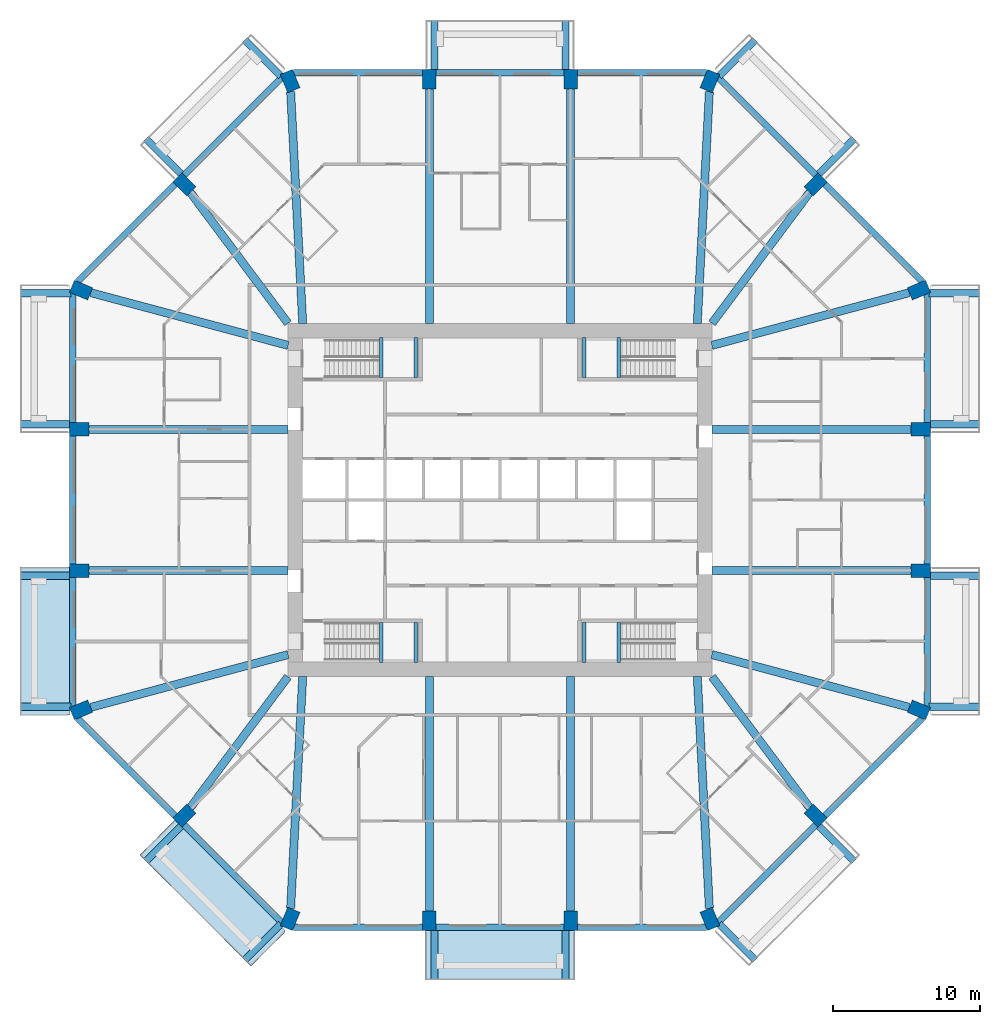
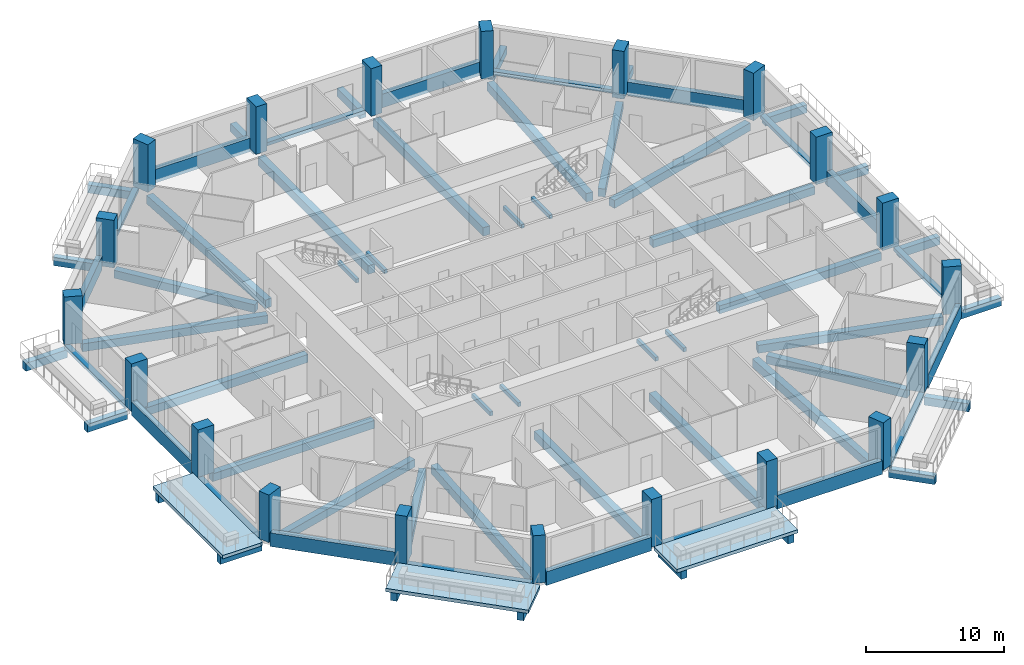
# One storey, part 1 of 13: 68 beams, 20 columns, 3 slabs.
"""IFC4 building model written with IfcOpenShell, lengths in metres."""

from ifc_helpers import new_model, si_unit, direction, frame, origin, origin_2d, place, context, subcontext, project, spatial, polyline, rectangle, outline, extrude, material, layer, layer_set, material_profile, profile_set, type_object, element, save


model = new_model("IFC4")

# Units and contexts
model_context = context("Model", 3, precision=1e-05, world=origin(), true_north=direction((0.0, 1.0)))
body_context = subcontext(model_context, "Body", "Model", "MODEL_VIEW")
ifc_project = project(units=[si_unit("LENGTHUNIT", "METRE"), si_unit("AREAUNIT", "SQUARE_METRE"), si_unit("VOLUMEUNIT", "CUBIC_METRE"), si_unit("PLANEANGLEUNIT", "RADIAN"), si_unit("MASSUNIT", "GRAM", prefix="KILO")], contexts=[model_context])

# Site, building, storey
site_placement = place(None, origin())
site = spatial("IfcSite", under=ifc_project, at=site_placement, CompositionType="ELEMENT")
building_placement = place(site_placement, origin())
building = spatial("IfcBuilding", under=site, at=building_placement, Name="Msitu Wima Residences", CompositionType="ELEMENT")
storey_placement = place(building_placement, frame((0.0, 0.0, 96.89990234375)))
storey = spatial("IfcBuildingStorey", under=building, at=storey_placement, Name="L22", CompositionType="ELEMENT", Elevation=96.89990234375)

# Columns
ifc_material_1 = material(Name="Concrete C80/95", Category="concrete")
ifc_material_profile_1 = material_profile(ifc_material_1, rectangle(XDim=0.89990234375, YDim=1.35009765625, at=origin_2d()), Name="RC 900x1350")
ifc_profile_set_1 = profile_set([ifc_material_profile_1], Name="Concrete C80/95")
column_type = type_object("IfcColumnType", Name="Column RC 900x1350 Concrete C80/95", PredefinedType="COLUMN", material=ifc_profile_set_1)
for number, where, z_axis, x_axis, name in (
    (1, (28.4541015625, -14.2568359375, 0.0), (0.0, 0.0, 1.0), (0.382683496864, 0.923879505795, 0.0), "Column L22 C-E0"),
    (2, (28.574951171875, -4.800048828125, 0.0), (0.0, 0.0, 1.0), (0.0, 1.0, 0.0), "Column L22 C-E1"),
    (3, (28.574951171875, 4.800048828125, 0.0), (0.0, 0.0, 1.0), (0.0, 1.0, 0.0), "Column L22 C-E2"),
    (4, (28.4541015625, 14.2568359375, 0.0), (0.0, 0.0, 1.0), (-0.382683496864, 0.923879505795, 0.0), "Column L22 C-NE0"),
    (5, (21.44091796875, 21.44091796875, 0.0), (0.0, 0.0, 1.0), (-0.707106781187, 0.707106781187, 0.0), "Column L22 C-NE1"),
    (6, (14.2568359375, 28.4541015625, 0.0), (0.0, 0.0, 1.0), (-0.923879505795, 0.382683496864, 0.0), "Column L22 C-N0"),
    (7, (4.800048828125, 28.574951171875, 0.0), (0.0, 0.0, 1.0), (-1.0, 0.0, 0.0), "Column L22 C-N1"),
    (8, (-4.800048828125, 28.574951171875, 0.0), (0.0, 0.0, 1.0), (-1.0, 0.0, 0.0), "Column L22 C-N2"),
    (9, (-14.2568359375, 28.4541015625, 0.0), (0.0, 0.0, 1.0), (-0.923879505795, -0.382683496864, 0.0), "Column L22 C-NW0"),
    (10, (-21.44091796875, 21.44091796875, 0.0), (0.0, 0.0, 1.0), (-0.707106781187, -0.707106781187, 0.0), "Column L22 C-NW1"),
    (11, (-28.4541015625, 14.2568359375, 0.0), (0.0, 0.0, 1.0), (-0.382683496864, -0.923879505795, 0.0), "Column L22 C-W0"),
    (12, (-28.574951171875, 4.800048828125, 0.0), (0.0, 0.0, 1.0), (0.0, -1.0, 0.0), "Column L22 C-W1"),
    (13, (-28.574951171875, -4.800048828125, 0.0), (0.0, 0.0, 1.0), (0.0, -1.0, 0.0), "Column L22 C-W2"),
    (14, (-28.4541015625, -14.2568359375, 0.0), (0.0, 0.0, 1.0), (0.382683496864, -0.923879505795, 0.0), "Column L22 C-SW0"),
    (15, (-21.44091796875, -21.44091796875, 0.0), (0.0, 0.0, 1.0), (0.707106781187, -0.707106781187, 0.0), "Column L22 C-SW1"),
    (16, (-14.2568359375, -28.4541015625, 0.0), (0.0, 0.0, 1.0), (0.923879505795, -0.382683496864, 0.0), "Column L22 C-S0"),
    (17, (-4.800048828125, -28.574951171875, 0.0), (0.0, 0.0, 1.0), (1.0, 0.0, 0.0), "Column L22 C-S1"),
    (18, (4.800048828125, -28.574951171875, 0.0), (0.0, 0.0, 1.0), (1.0, 0.0, 0.0), "Column L22 C-S2"),
    (19, (14.2568359375, -28.4541015625, 0.0), (0.0, 0.0, 1.0), (0.923879505795, 0.382683496864, 0.0), "Column L22 C-SE0"),
    (20, (21.44091796875, -21.44091796875, 0.0), (0.0, 0.0, 1.0), (0.707106781187, 0.707106781187, 0.0), "Column L22 C-SE1"),
):
    element("IfcColumn", number, at=place(storey_placement, frame(where, z_axis=z_axis, x_axis=x_axis)), inside=storey, type_object=column_type, Name=name, PredefinedType="COLUMN", context=body_context, shape_type="SweptSolid", body=[
        extrude(rectangle(XDim=0.89990234375, YDim=1.35009765625, at=origin_2d()), origin(), (0.0, 0.0, 1.0), 4.2001953125),
    ])

# Beams
ifc_material_2 = material(Name="Concrete C50/60", Category="concrete")
ifc_material_profile_2 = material_profile(ifc_material_2, rectangle(XDim=0.550048828125, YDim=0.699951171875, at=origin_2d()), Name="RC 550x700")
ifc_profile_set_2 = profile_set([ifc_material_profile_2], Name="Concrete C50/60")
beam_type_1 = type_object("IfcBeamType", Name="Beam RC 550x700 Concrete C50/60", PredefinedType="BEAM", material=ifc_profile_set_2)
beam_1_placement = place(storey_placement, frame((27.79638671875, -14.080810546875, -0.599853515625), z_axis=(-0.966081778408, 0.258236320891, 0.0), x_axis=(-0.258236320891, -0.966081778408, 0.0)))
element("IfcBeam", 21, at=beam_1_placement, inside=storey, type_object=beam_type_1, Name="Beam L22 C-E0", PredefinedType="BEAM", context=body_context, shape_type="SweptSolid", body=[
    extrude(rectangle(XDim=0.550048828125, YDim=0.699951171875, at=origin_2d()), origin(), (0.0, 0.0, 1.0), 13.878662109375),
])
for number, where, z_axis, x_axis, name in (
    (22, (27.89990234375, -4.800048828125, -0.599853515625), (-1.0, 0.0, 0.0), (0.0, -1.0, 0.0), "Beam L22 C-E1"),
    (23, (27.89990234375, 4.800048828125, -0.599853515625), (-1.0, 0.0, 0.0), (0.0, -1.0, 0.0), "Beam L22 C-E2"),
):
    element("IfcBeam", number, at=place(storey_placement, frame(where, z_axis=z_axis, x_axis=x_axis)), inside=storey, type_object=beam_type_1, Name=name, PredefinedType="BEAM", context=body_context, shape_type="SweptSolid", body=[
        extrude(rectangle(XDim=0.550048828125, YDim=0.699951171875, at=origin_2d()), origin(), (0.0, 0.0, 1.0), 13.5),
    ])
beam_2_placement = place(storey_placement, frame((27.79638671875, 14.080810546875, -0.599853515625), z_axis=(-0.966081778408, -0.258236320891, 0.0), x_axis=(0.258236320891, -0.966081778408, 0.0)))
element("IfcBeam", 24, at=beam_2_placement, inside=storey, type_object=beam_type_1, Name="Beam L22 C-NE0", PredefinedType="BEAM", context=body_context, shape_type="SweptSolid", body=[
    extrude(rectangle(XDim=0.550048828125, YDim=0.699951171875, at=origin_2d()), origin(), (0.0, 0.0, 1.0), 13.878662109375),
])
for number, where, z_axis, x_axis, name in (
    (25, (21.033203125, 20.89404296875, -0.599853515625), (-0.597850242031, -0.801607814398, 0.0), (0.801607814398, -0.597850242031, 0.0), "Beam L22 C-NE1"),
    (26, (-21.033203125, 20.89404296875, -0.599853515625), (0.597850242031, -0.801607814398, 0.0), (0.801607814398, 0.597850242031, 0.0), "Beam L22 C-NW1"),
):
    element("IfcBeam", number, at=place(storey_placement, frame(where, z_axis=z_axis, x_axis=x_axis)), inside=storey, type_object=beam_type_1, Name=name, PredefinedType="BEAM", context=body_context, shape_type="SweptSolid", body=[
        extrude(rectangle(XDim=0.550048828125, YDim=0.699951171875, at=origin_2d()), origin(), (0.0, 0.0, 1.0), 11.09521484375),
    ])
beam_3_placement = place(storey_placement, frame((-27.79638671875, 14.080810546875, -0.599853515625), z_axis=(0.966081778408, -0.258236320891, 0.0), x_axis=(0.258236320891, 0.966081778408, 0.0)))
element("IfcBeam", 27, at=beam_3_placement, inside=storey, type_object=beam_type_1, Name="Beam L22 C-W0", PredefinedType="BEAM", context=body_context, shape_type="SweptSolid", body=[
    extrude(rectangle(XDim=0.550048828125, YDim=0.699951171875, at=origin_2d()), origin(), (0.0, 0.0, 1.0), 13.878662109375),
])
for number, where, z_axis, x_axis, name in (
    (28, (-27.89990234375, 4.800048828125, -0.599853515625), (1.0, 0.0, 0.0), (0.0, 1.0, 0.0), "Beam L22 C-W1"),
    (29, (-27.89990234375, -4.800048828125, -0.599853515625), (1.0, 0.0, 0.0), (0.0, 1.0, 0.0), "Beam L22 C-W2"),
):
    element("IfcBeam", number, at=place(storey_placement, frame(where, z_axis=z_axis, x_axis=x_axis)), inside=storey, type_object=beam_type_1, Name=name, PredefinedType="BEAM", context=body_context, shape_type="SweptSolid", body=[
        extrude(rectangle(XDim=0.550048828125, YDim=0.699951171875, at=origin_2d()), origin(), (0.0, 0.0, 1.0), 13.5),
    ])
beam_4_placement = place(storey_placement, frame((-27.79638671875, -14.080810546875, -0.599853515625), z_axis=(0.966081778408, 0.258236320891, 0.0), x_axis=(-0.258236320891, 0.966081778408, 0.0)))
element("IfcBeam", 30, at=beam_4_placement, inside=storey, type_object=beam_type_1, Name="Beam L22 C-SW0", PredefinedType="BEAM", context=body_context, shape_type="SweptSolid", body=[
    extrude(rectangle(XDim=0.550048828125, YDim=0.699951171875, at=origin_2d()), origin(), (0.0, 0.0, 1.0), 13.878662109375),
])
for number, where, z_axis, x_axis, name in (
    (31, (-21.033203125, -20.89404296875, -0.599853515625), (0.597850242031, 0.801607814398, 0.0), (-0.801607814398, 0.597850242031, 0.0), "Beam L22 C-SW1"),
    (32, (21.033203125, -20.89404296875, -0.599853515625), (-0.597850242031, 0.801607814398, 0.0), (-0.801607814398, -0.597850242031, 0.0), "Beam L22 C-SE1"),
):
    element("IfcBeam", number, at=place(storey_placement, frame(where, z_axis=z_axis, x_axis=x_axis)), inside=storey, type_object=beam_type_1, Name=name, PredefinedType="BEAM", context=body_context, shape_type="SweptSolid", body=[
        extrude(rectangle(XDim=0.550048828125, YDim=0.699951171875, at=origin_2d()), origin(), (0.0, 0.0, 1.0), 11.09521484375),
    ])
ifc_material_profile_3 = material_profile(ifc_material_2, rectangle(XDim=0.550048828125, YDim=0.75, at=origin_2d()), Name="RC 550x750")
ifc_profile_set_3 = profile_set([ifc_material_profile_3], Name="Concrete C50/60")
beam_type_2 = type_object("IfcBeamType", Name="Beam RC 550x750 Concrete C50/60", PredefinedType="BEAM", material=ifc_profile_set_3)
beam_5_placement = place(storey_placement, frame((14.219482421875, 27.739013671875, -0.625), z_axis=(-0.05199418091, -0.998647387796, 0.0), x_axis=(0.998647387796, -0.05199418091, 0.0)))
element("IfcBeam", 33, at=beam_5_placement, inside=storey, type_object=beam_type_2, Name="Beam L22 C-N0", PredefinedType="BEAM", context=body_context, shape_type="SweptSolid", body=[
    extrude(rectangle(XDim=0.550048828125, YDim=0.75, at=origin_2d()), origin(), (0.0, 0.0, 1.0), 15.772216796875),
])
for number, where, z_axis, x_axis, name in (
    (34, (4.800048828125, 27.89990234375, -0.625), (0.0, -1.0, 0.0), (1.0, 0.0, 0.0), "Beam L22 C-N1"),
    (35, (-4.800048828125, 27.89990234375, -0.625), (0.0, -1.0, 0.0), (1.0, 0.0, 0.0), "Beam L22 C-N2"),
):
    element("IfcBeam", number, at=place(storey_placement, frame(where, z_axis=z_axis, x_axis=x_axis)), inside=storey, type_object=beam_type_2, Name=name, PredefinedType="BEAM", context=body_context, shape_type="SweptSolid", body=[
        extrude(rectangle(XDim=0.550048828125, YDim=0.75, at=origin_2d()), origin(), (0.0, 0.0, 1.0), 15.89990234375),
    ])
for number, where, z_axis, x_axis, name in (
    (36, (-14.219482421875, 27.739013671875, -0.625), (0.05199418091, -0.998647387796, 0.0), (0.998647387796, 0.05199418091, 0.0), "Beam L22 C-NW0"),
    (37, (-14.219482421875, -27.739013671875, -0.625), (0.05199418091, 0.998647387796, 0.0), (-0.998647387796, 0.05199418091, 0.0), "Beam L22 C-S0"),
):
    element("IfcBeam", number, at=place(storey_placement, frame(where, z_axis=z_axis, x_axis=x_axis)), inside=storey, type_object=beam_type_2, Name=name, PredefinedType="BEAM", context=body_context, shape_type="SweptSolid", body=[
        extrude(rectangle(XDim=0.550048828125, YDim=0.75, at=origin_2d()), origin(), (0.0, 0.0, 1.0), 15.772216796875),
    ])
for number, where, z_axis, x_axis, name in (
    (38, (-4.800048828125, -27.89990234375, -0.625), (0.0, 1.0, 0.0), (-1.0, 0.0, 0.0), "Beam L22 C-S1"),
    (39, (4.800048828125, -27.89990234375, -0.625), (0.0, 1.0, 0.0), (-1.0, 0.0, 0.0), "Beam L22 C-S2"),
):
    element("IfcBeam", number, at=place(storey_placement, frame(where, z_axis=z_axis, x_axis=x_axis)), inside=storey, type_object=beam_type_2, Name=name, PredefinedType="BEAM", context=body_context, shape_type="SweptSolid", body=[
        extrude(rectangle(XDim=0.550048828125, YDim=0.75, at=origin_2d()), origin(), (0.0, 0.0, 1.0), 15.89990234375),
    ])
beam_6_placement = place(storey_placement, frame((14.219482421875, -27.739013671875, -0.625), z_axis=(-0.05199418091, 0.998647387796, 0.0), x_axis=(-0.998647387796, -0.05199418091, 0.0)))
element("IfcBeam", 40, at=beam_6_placement, inside=storey, type_object=beam_type_2, Name="Beam L22 C-SE0", PredefinedType="BEAM", context=body_context, shape_type="SweptSolid", body=[
    extrude(rectangle(XDim=0.550048828125, YDim=0.75, at=origin_2d()), origin(), (0.0, 0.0, 1.0), 15.772216796875),
])
ifc_material_profile_4 = material_profile(ifc_material_2, rectangle(XDim=0.5, YDim=0.699951171875, at=origin_2d()), Name="RC 500x700")
ifc_profile_set_4 = profile_set([ifc_material_profile_4], Name="Concrete C50/60")
beam_type_3 = type_object("IfcBeamType", Name="Cantilever beam RC 500x700 Concrete C50/60", PredefinedType="BEAM", material=ifc_profile_set_4)
beam_7_placement = place(storey_placement, frame((29.130859375, -14.050048828125, -0.64990234375), z_axis=(1.0, 0.0, 0.0), x_axis=(0.0, 1.0, 0.0)))
element("IfcBeam", 41, at=beam_7_placement, inside=storey, type_object=beam_type_3, Name="Cantilever beam L22 BA-E0 A", PredefinedType="BEAM", context=body_context, shape_type="SweptSolid", body=[
    extrude(rectangle(XDim=0.5, YDim=0.699951171875, at=origin_2d()), origin(), (0.0, 0.0, 1.0), 3.46923828125),
])
for number, where, z_axis, x_axis, name in (
    (42, (29.25, -5.14990234375, -0.64990234375), (1.0, 0.0, 0.0), (0.0, 1.0, 0.0), "Cantilever beam L22 BA-E0 B"),
    (43, (29.25, 5.14990234375, -0.64990234375), (1.0, 0.0, 0.0), (0.0, 1.0, 0.0), "Cantilever beam L22 BA-E2 A"),
):
    element("IfcBeam", number, at=place(storey_placement, frame(where, z_axis=z_axis, x_axis=x_axis)), inside=storey, type_object=beam_type_3, Name=name, PredefinedType="BEAM", context=body_context, shape_type="SweptSolid", body=[
        extrude(rectangle(XDim=0.5, YDim=0.699951171875, at=origin_2d()), origin(), (0.0, 0.0, 1.0), 3.35009765625),
    ])
beam_8_placement = place(storey_placement, frame((29.130859375, 14.050048828125, -0.64990234375), z_axis=(1.0, 0.0, 0.0), x_axis=(0.0, 1.0, 0.0)))
element("IfcBeam", 44, at=beam_8_placement, inside=storey, type_object=beam_type_3, Name="Cantilever beam L22 BA-E2 B", PredefinedType="BEAM", context=body_context, shape_type="SweptSolid", body=[
    extrude(rectangle(XDim=0.5, YDim=0.699951171875, at=origin_2d()), origin(), (0.0, 0.0, 1.0), 3.46923828125),
])
beam_9_placement = place(storey_placement, frame((21.670654296875, 22.165771484375, -0.64990234375), z_axis=(0.707143219659, 0.707070340836, 0.0), x_axis=(-0.707070340836, 0.707143219659, 0.0)))
element("IfcBeam", 45, at=beam_9_placement, inside=storey, type_object=beam_type_3, Name="Cantilever beam L22 BA-NE1 A", PredefinedType="BEAM", context=body_context, shape_type="SweptSolid", body=[
    extrude(rectangle(XDim=0.5, YDim=0.699951171875, at=origin_2d()), origin(), (0.0, 0.0, 1.0), 3.349853515625),
])
beam_10_placement = place(storey_placement, frame((14.881591796875, 28.78662109375, -0.64990234375), z_axis=(0.707106781187, 0.707106781187, 0.0), x_axis=(-0.707106781187, 0.707106781187, 0.0)))
element("IfcBeam", 46, at=beam_10_placement, inside=storey, type_object=beam_type_3, Name="Cantilever beam L22 BA-NE1 B", PredefinedType="BEAM", context=body_context, shape_type="SweptSolid", body=[
    extrude(rectangle(XDim=0.5, YDim=0.699951171875, at=origin_2d()), origin(), (0.0, 0.0, 1.0), 3.468994140625),
])
for number, where, z_axis, x_axis, name in (
    (47, (4.449951171875, 29.25, -0.64990234375), (0.0, 1.0, 0.0), (-1.0, 0.0, 0.0), "Cantilever beam L22 BA-N1 A"),
    (48, (-4.449951171875, 29.25, -0.64990234375), (0.0, 1.0, 0.0), (-1.0, 0.0, 0.0), "Cantilever beam L22 BA-N1 B"),
):
    element("IfcBeam", number, at=place(storey_placement, frame(where, z_axis=z_axis, x_axis=x_axis)), inside=storey, type_object=beam_type_3, Name=name, PredefinedType="BEAM", context=body_context, shape_type="SweptSolid", body=[
        extrude(rectangle(XDim=0.5, YDim=0.699951171875, at=origin_2d()), origin(), (0.0, 0.0, 1.0), 3.35009765625),
    ])
beam_11_placement = place(storey_placement, frame((-14.881591796875, 28.78662109375, -0.64990234375), z_axis=(-0.707106781187, 0.707106781187, 0.0), x_axis=(-0.707106781187, -0.707106781187, 0.0)))
element("IfcBeam", 49, at=beam_11_placement, inside=storey, type_object=beam_type_3, Name="Cantilever beam L22 BA-NW0 A", PredefinedType="BEAM", context=body_context, shape_type="SweptSolid", body=[
    extrude(rectangle(XDim=0.5, YDim=0.699951171875, at=origin_2d()), origin(), (0.0, 0.0, 1.0), 3.468994140625),
])
beam_12_placement = place(storey_placement, frame((-21.670654296875, 22.165771484375, -0.64990234375), z_axis=(-0.707143219659, 0.707070340836, 0.0), x_axis=(-0.707070340836, -0.707143219659, 0.0)))
element("IfcBeam", 50, at=beam_12_placement, inside=storey, type_object=beam_type_3, Name="Cantilever beam L22 BA-NW0 B", PredefinedType="BEAM", context=body_context, shape_type="SweptSolid", body=[
    extrude(rectangle(XDim=0.5, YDim=0.699951171875, at=origin_2d()), origin(), (0.0, 0.0, 1.0), 3.349853515625),
])
beam_13_placement = place(storey_placement, frame((-29.130859375, 14.050048828125, -0.64990234375), z_axis=(-1.0, 0.0, 0.0), x_axis=(0.0, -1.0, 0.0)))
element("IfcBeam", 51, at=beam_13_placement, inside=storey, type_object=beam_type_3, Name="Cantilever beam L22 BA-W0 A", PredefinedType="BEAM", context=body_context, shape_type="SweptSolid", body=[
    extrude(rectangle(XDim=0.5, YDim=0.699951171875, at=origin_2d()), origin(), (0.0, 0.0, 1.0), 3.46923828125),
])
for number, where, z_axis, x_axis, name in (
    (52, (-29.25, 5.14990234375, -0.64990234375), (-1.0, 0.0, 0.0), (0.0, -1.0, 0.0), "Cantilever beam L22 BA-W0 B"),
    (53, (-29.25, -5.14990234375, -0.64990234375), (-1.0, 0.0, 0.0), (0.0, -1.0, 0.0), "Cantilever beam L22 BA-W2 A"),
):
    element("IfcBeam", number, at=place(storey_placement, frame(where, z_axis=z_axis, x_axis=x_axis)), inside=storey, type_object=beam_type_3, Name=name, PredefinedType="BEAM", context=body_context, shape_type="SweptSolid", body=[
        extrude(rectangle(XDim=0.5, YDim=0.699951171875, at=origin_2d()), origin(), (0.0, 0.0, 1.0), 3.35009765625),
    ])
beam_14_placement = place(storey_placement, frame((-29.130859375, -14.050048828125, -0.64990234375), z_axis=(-1.0, 0.0, 0.0), x_axis=(0.0, -1.0, 0.0)))
element("IfcBeam", 54, at=beam_14_placement, inside=storey, type_object=beam_type_3, Name="Cantilever beam L22 BA-W2 B", PredefinedType="BEAM", context=body_context, shape_type="SweptSolid", body=[
    extrude(rectangle(XDim=0.5, YDim=0.699951171875, at=origin_2d()), origin(), (0.0, 0.0, 1.0), 3.46923828125),
])
beam_15_placement = place(storey_placement, frame((-21.670654296875, -22.165771484375, -0.64990234375), z_axis=(-0.707143219659, -0.707070340836, 0.0), x_axis=(0.707070340836, -0.707143219659, 0.0)))
element("IfcBeam", 55, at=beam_15_placement, inside=storey, type_object=beam_type_3, Name="Cantilever beam L22 BA-SW1 A", PredefinedType="BEAM", context=body_context, shape_type="SweptSolid", body=[
    extrude(rectangle(XDim=0.5, YDim=0.699951171875, at=origin_2d()), origin(), (0.0, 0.0, 1.0), 3.349853515625),
])
beam_16_placement = place(storey_placement, frame((-14.881591796875, -28.78662109375, -0.64990234375), z_axis=(-0.707106781187, -0.707106781187, 0.0), x_axis=(0.707106781187, -0.707106781187, 0.0)))
element("IfcBeam", 56, at=beam_16_placement, inside=storey, type_object=beam_type_3, Name="Cantilever beam L22 BA-SW1 B", PredefinedType="BEAM", context=body_context, shape_type="SweptSolid", body=[
    extrude(rectangle(XDim=0.5, YDim=0.699951171875, at=origin_2d()), origin(), (0.0, 0.0, 1.0), 3.468994140625),
])
for number, where, z_axis, x_axis, name in (
    (57, (-4.449951171875, -29.25, -0.64990234375), (0.0, -1.0, 0.0), (1.0, 0.0, 0.0), "Cantilever beam L22 BA-S1 A"),
    (58, (4.449951171875, -29.25, -0.64990234375), (0.0, -1.0, 0.0), (1.0, 0.0, 0.0), "Cantilever beam L22 BA-S1 B"),
):
    element("IfcBeam", number, at=place(storey_placement, frame(where, z_axis=z_axis, x_axis=x_axis)), inside=storey, type_object=beam_type_3, Name=name, PredefinedType="BEAM", context=body_context, shape_type="SweptSolid", body=[
        extrude(rectangle(XDim=0.5, YDim=0.699951171875, at=origin_2d()), origin(), (0.0, 0.0, 1.0), 3.35009765625),
    ])
beam_17_placement = place(storey_placement, frame((14.881591796875, -28.78662109375, -0.64990234375), z_axis=(0.707106781187, -0.707106781187, 0.0), x_axis=(0.707106781187, 0.707106781187, 0.0)))
element("IfcBeam", 59, at=beam_17_placement, inside=storey, type_object=beam_type_3, Name="Cantilever beam L22 BA-SE0 A", PredefinedType="BEAM", context=body_context, shape_type="SweptSolid", body=[
    extrude(rectangle(XDim=0.5, YDim=0.699951171875, at=origin_2d()), origin(), (0.0, 0.0, 1.0), 3.468994140625),
])
beam_18_placement = place(storey_placement, frame((21.670654296875, -22.165771484375, -0.64990234375), z_axis=(0.707143219659, -0.707070340836, 0.0), x_axis=(0.707070340836, 0.707143219659, 0.0)))
element("IfcBeam", 60, at=beam_18_placement, inside=storey, type_object=beam_type_3, Name="Cantilever beam L22 BA-SE0 B", PredefinedType="BEAM", context=body_context, shape_type="SweptSolid", body=[
    extrude(rectangle(XDim=0.5, YDim=0.699951171875, at=origin_2d()), origin(), (0.0, 0.0, 1.0), 3.349853515625),
])
ifc_material_profile_5 = material_profile(ifc_material_2, rectangle(XDim=0.449951171875, YDim=0.300048828125, at=origin_2d()), Name="RC 450x300")
ifc_profile_set_5 = profile_set([ifc_material_profile_5], Name="Concrete C50/60")
beam_type_4 = type_object("IfcBeamType", Name="Edge beam RC 450x300 Concrete C50/60", PredefinedType="SPANDREL", material=ifc_profile_set_5)
for number, where, z_axis, x_axis, name in (
    (61, (29.02490234375, -14.01806640625, -0.14990234375), (0.0, 1.0, 0.0), (-1.0, 0.0, 0.0), "Spandrel L22 E0"),
    (62, (29.02490234375, 5.25, -0.14990234375), (0.0, 1.0, 0.0), (-1.0, 0.0, 0.0), "Spandrel L22 E2"),
):
    element("IfcBeam", number, at=place(storey_placement, frame(where, z_axis=z_axis, x_axis=x_axis)), inside=storey, type_object=beam_type_4, Name=name, PredefinedType="SPANDREL", context=body_context, shape_type="SweptSolid", body=[
        extrude(rectangle(XDim=0.449951171875, YDim=0.300048828125, at=origin_2d()), origin(), (0.0, 0.0, 1.0), 8.76806640625),
    ])
beam_19_placement = place(storey_placement, frame((21.44091796875, 22.077392578125, -0.14990234375), z_axis=(-0.707119836229, 0.707093725903, 0.0), x_axis=(-0.707093725903, -0.707119836229, 0.0)))
element("IfcBeam", 63, at=beam_19_placement, inside=storey, type_object=beam_type_4, Name="Spandrel L22 NE1", PredefinedType="SPANDREL", context=body_context, shape_type="SweptSolid", body=[
    extrude(rectangle(XDim=0.449951171875, YDim=0.300048828125, at=origin_2d()), origin(), (0.0, 0.0, 1.0), 9.350341796875),
])
beam_20_placement = place(storey_placement, frame((4.35009765625, 29.02490234375, -0.14990234375), z_axis=(-1.0, 0.0, 0.0), x_axis=(0.0, -1.0, 0.0)))
element("IfcBeam", 64, at=beam_20_placement, inside=storey, type_object=beam_type_4, Name="Spandrel L22 N1", PredefinedType="SPANDREL", context=body_context, shape_type="SweptSolid", body=[
    extrude(rectangle(XDim=0.449951171875, YDim=0.300048828125, at=origin_2d()), origin(), (0.0, 0.0, 1.0), 8.7001953125),
])
beam_21_placement = place(storey_placement, frame((-14.8291015625, 28.68896484375, -0.14990234375), z_axis=(-0.707119836229, -0.707093725903, 0.0), x_axis=(0.707093725903, -0.707119836229, 0.0)))
element("IfcBeam", 65, at=beam_21_placement, inside=storey, type_object=beam_type_4, Name="Spandrel L22 NW0", PredefinedType="SPANDREL", context=body_context, shape_type="SweptSolid", body=[
    extrude(rectangle(XDim=0.449951171875, YDim=0.300048828125, at=origin_2d()), origin(), (0.0, 0.0, 1.0), 9.350341796875),
])
for number, where, z_axis, x_axis, name in (
    (66, (-29.02490234375, 14.01806640625, -0.14990234375), (0.0, -1.0, 0.0), (1.0, 0.0, 0.0), "Spandrel L22 W0"),
    (67, (-29.02490234375, -5.25, -0.14990234375), (0.0, -1.0, 0.0), (1.0, 0.0, 0.0), "Spandrel L22 W2"),
):
    element("IfcBeam", number, at=place(storey_placement, frame(where, z_axis=z_axis, x_axis=x_axis)), inside=storey, type_object=beam_type_4, Name=name, PredefinedType="SPANDREL", context=body_context, shape_type="SweptSolid", body=[
        extrude(rectangle(XDim=0.449951171875, YDim=0.300048828125, at=origin_2d()), origin(), (0.0, 0.0, 1.0), 8.76806640625),
    ])
beam_22_placement = place(storey_placement, frame((-21.44091796875, -22.077392578125, -0.14990234375), z_axis=(0.707119836229, -0.707093725903, 0.0), x_axis=(0.707093725903, 0.707119836229, 0.0)))
element("IfcBeam", 68, at=beam_22_placement, inside=storey, type_object=beam_type_4, Name="Spandrel L22 SW1", PredefinedType="SPANDREL", context=body_context, shape_type="SweptSolid", body=[
    extrude(rectangle(XDim=0.449951171875, YDim=0.300048828125, at=origin_2d()), origin(), (0.0, 0.0, 1.0), 9.350341796875),
])
beam_23_placement = place(storey_placement, frame((-4.35009765625, -29.02490234375, -0.14990234375), z_axis=(1.0, 0.0, 0.0), x_axis=(0.0, 1.0, 0.0)))
element("IfcBeam", 69, at=beam_23_placement, inside=storey, type_object=beam_type_4, Name="Spandrel L22 S1", PredefinedType="SPANDREL", context=body_context, shape_type="SweptSolid", body=[
    extrude(rectangle(XDim=0.449951171875, YDim=0.300048828125, at=origin_2d()), origin(), (0.0, 0.0, 1.0), 8.7001953125),
])
beam_24_placement = place(storey_placement, frame((14.8291015625, -28.68896484375, -0.14990234375), z_axis=(0.707119836229, 0.707093725903, 0.0), x_axis=(-0.707093725903, 0.707119836229, 0.0)))
element("IfcBeam", 70, at=beam_24_placement, inside=storey, type_object=beam_type_4, Name="Spandrel L22 SE0", PredefinedType="SPANDREL", context=body_context, shape_type="SweptSolid", body=[
    extrude(rectangle(XDim=0.449951171875, YDim=0.300048828125, at=origin_2d()), origin(), (0.0, 0.0, 1.0), 9.350341796875),
])
ifc_material_3 = material(Name="Concrete C40/50", Category="concrete")
ifc_material_profile_6 = material_profile(ifc_material_3, rectangle(XDim=0.25, YDim=0.35009765625, at=origin_2d()), Name="RC 250x350")
ifc_profile_set_6 = profile_set([ifc_material_profile_6], Name="Concrete C40/50")
beam_type_5 = type_object("IfcBeamType", Name="Landing beam RC 250x350", PredefinedType="BEAM", material=ifc_profile_set_6)
for number, where, z_axis, x_axis, name in (
    (71, (-8.074951171875, 8.324951171875, 1.72509765625), (0.0, 1.0, 0.0), (-1.0, 0.0, 0.0), "Stair 1 landing beam"),
    (72, (-5.72509765625, 8.324951171875, 1.72509765625), (0.0, 1.0, 0.0), (-1.0, 0.0, 0.0), "Stair 1 landing beam"),
    (73, (-8.074951171875, -11.02490234375, 1.72509765625), (0.0, 1.0, 0.0), (-1.0, 0.0, 0.0), "Stair 2 landing beam"),
    (74, (-5.72509765625, -11.02490234375, 1.72509765625), (0.0, 1.0, 0.0), (-1.0, 0.0, 0.0), "Stair 2 landing beam"),
    (75, (8.074951171875, 8.324951171875, 1.72509765625), (0.0, 1.0, 0.0), (-1.0, 0.0, 0.0), "Stair 3 landing beam"),
    (76, (5.72509765625, 8.324951171875, 1.72509765625), (0.0, 1.0, 0.0), (-1.0, 0.0, 0.0), "Stair 3 landing beam"),
    (77, (8.074951171875, -11.02490234375, 1.72509765625), (0.0, 1.0, 0.0), (-1.0, 0.0, 0.0), "Stair 4 landing beam"),
    (78, (5.72509765625, -11.02490234375, 1.72509765625), (0.0, 1.0, 0.0), (-1.0, 0.0, 0.0), "Stair 4 landing beam"),
):
    element("IfcBeam", number, at=place(storey_placement, frame(where, z_axis=z_axis, x_axis=x_axis)), inside=storey, type_object=beam_type_5, Name=name, PredefinedType="BEAM", context=body_context, shape_type="SweptSolid", body=[
        extrude(rectangle(XDim=0.25, YDim=0.35009765625, at=origin_2d()), origin(), (0.0, 0.0, 1.0), 2.699951171875),
    ])
ifc_material_profile_7 = material_profile(ifc_material_2, rectangle(XDim=0.449951171875, YDim=1.199951171875, at=origin_2d()), Name="RC 450x1200")
ifc_profile_set_7 = profile_set([ifc_material_profile_7], Name="Concrete C50/60")
beam_type_6 = type_object("IfcBeamType", Name="Spandrel RC 450x1200 Concrete C50/60", PredefinedType="SPANDREL", material=ifc_profile_set_7)
beam_25_placement = place(storey_placement, frame((29.02490234375, -4.35009765625, 0.300048828125), z_axis=(0.0, 1.0, 0.0), x_axis=(-1.0, 0.0, 0.0)))
element("IfcBeam", 79, at=beam_25_placement, inside=storey, type_object=beam_type_6, Name="Spandrel L22 E1", PredefinedType="SPANDREL", context=body_context, shape_type="SweptSolid", body=[
    extrude(rectangle(XDim=0.449951171875, YDim=1.199951171875, at=origin_2d()), origin(), (0.0, 0.0, 1.0), 8.7001953125),
])
beam_26_placement = place(storey_placement, frame((28.68896484375, 14.8291015625, 0.300048828125), z_axis=(-0.707093725903, 0.707119836229, 0.0), x_axis=(-0.707119836229, -0.707093725903, 0.0)))
element("IfcBeam", 80, at=beam_26_placement, inside=storey, type_object=beam_type_6, Name="Spandrel L22 NE0", PredefinedType="SPANDREL", context=body_context, shape_type="SweptSolid", body=[
    extrude(rectangle(XDim=0.449951171875, YDim=1.199951171875, at=origin_2d()), origin(), (0.0, 0.0, 1.0), 9.350341796875),
])
for number, where, z_axis, x_axis, name in (
    (81, (14.01806640625, 29.02490234375, 0.300048828125), (-1.0, 0.0, 0.0), (0.0, -1.0, 0.0), "Spandrel L22 N0"),
    (82, (-5.25, 29.02490234375, 0.300048828125), (-1.0, 0.0, 0.0), (0.0, -1.0, 0.0), "Spandrel L22 N2"),
):
    element("IfcBeam", number, at=place(storey_placement, frame(where, z_axis=z_axis, x_axis=x_axis)), inside=storey, type_object=beam_type_6, Name=name, PredefinedType="SPANDREL", context=body_context, shape_type="SweptSolid", body=[
        extrude(rectangle(XDim=0.449951171875, YDim=1.199951171875, at=origin_2d()), origin(), (0.0, 0.0, 1.0), 8.76806640625),
    ])
beam_27_placement = place(storey_placement, frame((-22.077392578125, 21.44091796875, 0.300048828125), z_axis=(-0.707093725903, -0.707119836229, 0.0), x_axis=(0.707119836229, -0.707093725903, 0.0)))
element("IfcBeam", 83, at=beam_27_placement, inside=storey, type_object=beam_type_6, Name="Spandrel L22 NW1", PredefinedType="SPANDREL", context=body_context, shape_type="SweptSolid", body=[
    extrude(rectangle(XDim=0.449951171875, YDim=1.199951171875, at=origin_2d()), origin(), (0.0, 0.0, 1.0), 9.350341796875),
])
beam_28_placement = place(storey_placement, frame((-29.02490234375, 4.35009765625, 0.300048828125), z_axis=(0.0, -1.0, 0.0), x_axis=(1.0, 0.0, 0.0)))
element("IfcBeam", 84, at=beam_28_placement, inside=storey, type_object=beam_type_6, Name="Spandrel L22 W1", PredefinedType="SPANDREL", context=body_context, shape_type="SweptSolid", body=[
    extrude(rectangle(XDim=0.449951171875, YDim=1.199951171875, at=origin_2d()), origin(), (0.0, 0.0, 1.0), 8.7001953125),
])
beam_29_placement = place(storey_placement, frame((-28.68896484375, -14.8291015625, 0.300048828125), z_axis=(0.707093725903, -0.707119836229, 0.0), x_axis=(0.707119836229, 0.707093725903, 0.0)))
element("IfcBeam", 85, at=beam_29_placement, inside=storey, type_object=beam_type_6, Name="Spandrel L22 SW0", PredefinedType="SPANDREL", context=body_context, shape_type="SweptSolid", body=[
    extrude(rectangle(XDim=0.449951171875, YDim=1.199951171875, at=origin_2d()), origin(), (0.0, 0.0, 1.0), 9.350341796875),
])
for number, where, z_axis, x_axis, name in (
    (86, (-14.01806640625, -29.02490234375, 0.300048828125), (1.0, 0.0, 0.0), (0.0, 1.0, 0.0), "Spandrel L22 S0"),
    (87, (5.25, -29.02490234375, 0.300048828125), (1.0, 0.0, 0.0), (0.0, 1.0, 0.0), "Spandrel L22 S2"),
):
    element("IfcBeam", number, at=place(storey_placement, frame(where, z_axis=z_axis, x_axis=x_axis)), inside=storey, type_object=beam_type_6, Name=name, PredefinedType="SPANDREL", context=body_context, shape_type="SweptSolid", body=[
        extrude(rectangle(XDim=0.449951171875, YDim=1.199951171875, at=origin_2d()), origin(), (0.0, 0.0, 1.0), 8.76806640625),
    ])
beam_30_placement = place(storey_placement, frame((22.077392578125, -21.44091796875, 0.300048828125), z_axis=(0.707093725903, 0.707119836229, 0.0), x_axis=(-0.707119836229, 0.707093725903, 0.0)))
element("IfcBeam", 88, at=beam_30_placement, inside=storey, type_object=beam_type_6, Name="Spandrel L22 SE1", PredefinedType="SPANDREL", context=body_context, shape_type="SweptSolid", body=[
    extrude(rectangle(XDim=0.449951171875, YDim=1.199951171875, at=origin_2d()), origin(), (0.0, 0.0, 1.0), 9.350341796875),
])

# Slabs
ifc_layer = layer(ifc_material_3, 0.300048828125)
ifc_layer_set = layer_set([ifc_layer], Name="Concrete C40/50")
slab_type = type_object("IfcSlabType", Name="Balcony slab BS300", PredefinedType="FLOOR", material=ifc_layer_set)
slab_1_placement = place(storey_placement, frame((0.0, 0.0, -0.2998046875)))
element("IfcSlab", 89, at=slab_1_placement, inside=storey, type_object=slab_type, Name="Balcony W2 L22", PredefinedType="FLOOR", context=body_context, shape_type="SweptSolid", body=[
    extrude(outline(polyline([(-29.25, -14.099365234375), (-29.25, -14.099365234375), (-29.25, -14.099365234375), (-29.25, -14.58642578125), (-29.403564453125, -14.64990234375), (-32.60009765625, -14.64990234375), (-32.60009765625, -4.550048828125), (-29.25, -4.550048828125), (-29.25, -5.25), (-29.25, -14.099365234375)])), origin(), (0.0, 0.0, 1.0), 0.2998046875),
])
slab_2_placement = place(storey_placement, frame((0.0, 0.0, -0.2998046875)))
element("IfcSlab", 90, at=slab_2_placement, inside=storey, type_object=slab_type, Name="Balcony SW1 L22", PredefinedType="FLOOR", context=body_context, shape_type="SweptSolid", body=[
    extrude(outline(polyline([(-16.91015625, -31.663818359375), (-24.4638671875, -24.1103515625), (-22.094970703125, -21.741455078125), (-14.58642578125, -29.25), (-14.64990234375, -29.403564453125), (-16.91015625, -31.663818359375)])), origin(), (0.0, 0.0, 1.0), 0.2998046875),
])
slab_3_placement = place(storey_placement, frame((0.0, 0.0, -0.2998046875)))
element("IfcSlab", 91, at=slab_3_placement, inside=storey, type_object=slab_type, Name="Balcony S1 L22", PredefinedType="FLOOR", context=body_context, shape_type="SweptSolid", body=[
    extrude(outline(polyline([(-4.35009765625, -29.25), (4.35009765625, -29.25), (5.050048828125, -29.25), (5.050048828125, -32.60009765625), (-5.050048828125, -32.60009765625), (-5.050048828125, -29.25), (-4.35009765625, -29.25)])), origin(), (0.0, 0.0, 1.0), 0.2998046875),
])

save(model, "model.ifc")
